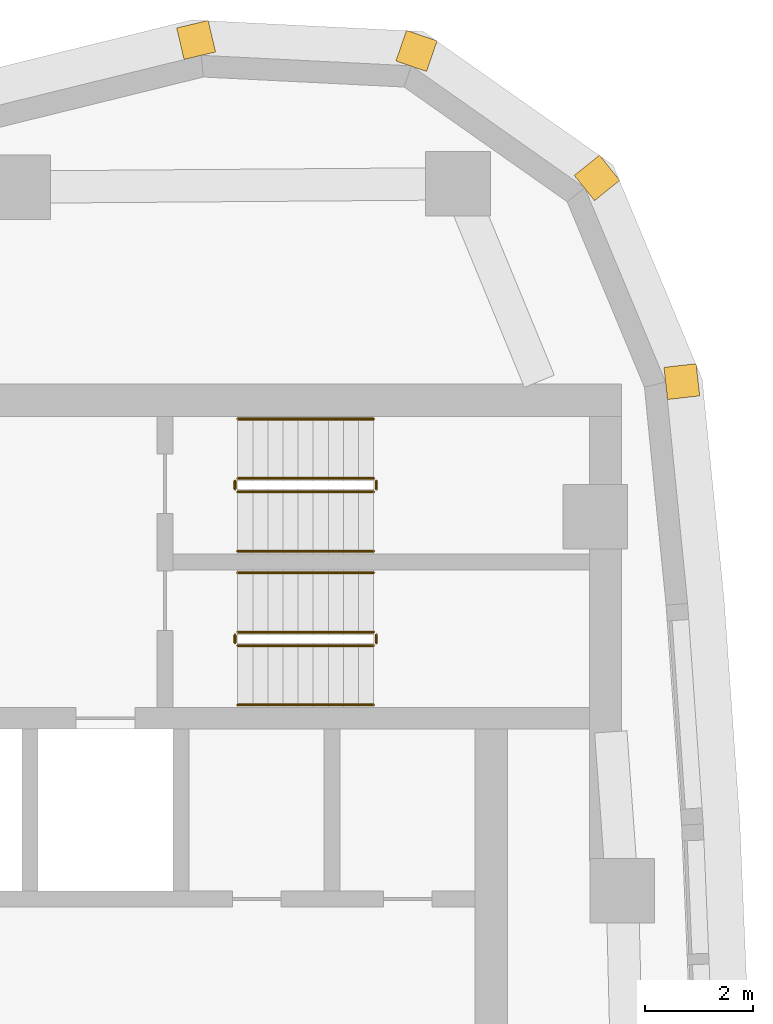
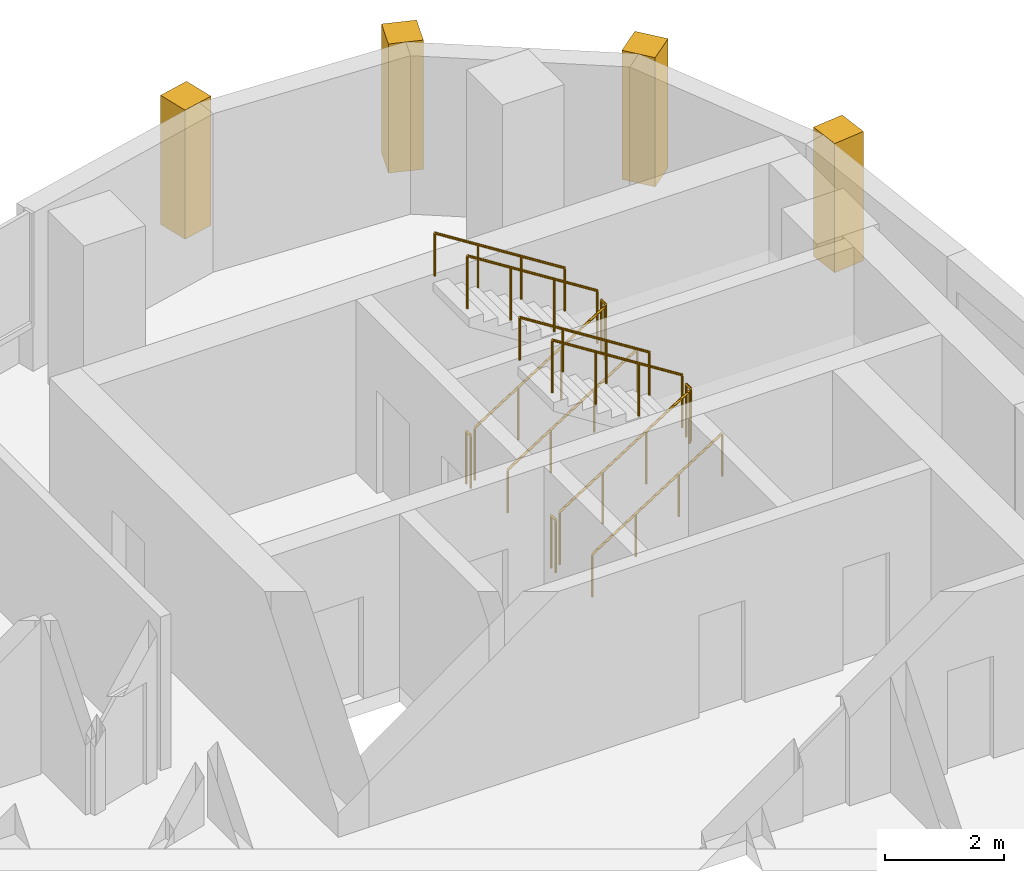
# One storey, part 16 of 16: 12 railings, 4 coverings.
"""IFC4 building model written with IfcOpenShell, lengths in metres."""

from ifc_helpers import new_model, si_unit, direction, frame, frame_2d, origin, origin_2d, place, context, subcontext, project, spatial, rectangle, circle, extrude, material, layer, layer_set, type_object, element, save


model = new_model("IFC4")

# Units and contexts
model_context = context("Model", 3, precision=1e-05, world=origin(), true_north=direction((0.0, 1.0)))
body_context = subcontext(model_context, "Body", "Model", "MODEL_VIEW")
ifc_project = project(units=[si_unit("LENGTHUNIT", "METRE"), si_unit("AREAUNIT", "SQUARE_METRE"), si_unit("VOLUMEUNIT", "CUBIC_METRE"), si_unit("PLANEANGLEUNIT", "RADIAN"), si_unit("MASSUNIT", "GRAM", prefix="KILO")], contexts=[model_context])

# Site, building, storey
site_placement = place(None, origin())
site = spatial("IfcSite", under=ifc_project, at=site_placement, CompositionType="ELEMENT")
building_placement = place(site_placement, origin())
building = spatial("IfcBuilding", under=site, at=building_placement, Name="Ostrand Prow Hotel Tower", CompositionType="ELEMENT")
storey_placement = place(building_placement, frame((0.0, 0.0, 252.75)))
storey = spatial("IfcBuildingStorey", under=building, at=storey_placement, Name="L64", CompositionType="ELEMENT", Elevation=252.75)

# Coverings
ifc_material_1 = material(Name="Limestone cladding", Category="masonry")
ifc_layer = layer(ifc_material_1, 0.60009765625)
ifc_layer_set = layer_set([ifc_layer], Name="Limestone cladding")
covering_type = type_object("IfcCoveringType", Name="Precast stone prow rib 600x600", PredefinedType="CLADDING", material=ifc_layer_set)
for number, where, z_axis, x_axis, name in (
    (1, (65.13623046875, 16.35986328125, 0.60009765625), (0.0, 0.0, 1.0), (0.993628058569, 0.112708833834, 0.0), "Stone corner rib 13a"),
    (2, (63.62744140625, 19.98291015625, 0.60009765625), (0.0, 0.0, 1.0), (0.779994736518, 0.625786074473, 0.0), "Stone corner rib 14a"),
    (3, (60.417236328125, 22.240966796875, 0.60009765625), (0.0, 0.0, 1.0), (0.325489086777, 0.945545797087, 0.0), "Stone corner rib 15a"),
    (4, (56.49755859375, 22.436279296875, 0.60009765625), (0.0, 0.0, 1.0), (-0.229878322855, 0.973219377469, 0.0), "Stone corner rib 15b"),
):
    element("IfcCovering", number, at=place(storey_placement, frame(where, z_axis=z_axis, x_axis=x_axis)), inside=storey, type_object=covering_type, Name=name, PredefinedType="CLADDING", context=body_context, shape_type="SweptSolid", body=[
        extrude(rectangle(XDim=0.60009765625, YDim=0.60009765625, at=frame_2d((0.300048828125, 0.0))), origin(), (0.0, 0.0, 1.0), 2.64990234375),
    ])

# Railings
ifc_material_2 = material(Name="Painted steel", Category="steel")
railing_type_1 = type_object("IfcRailingType", Name="Stair guard 1100", PredefinedType="GUARDRAIL", material=ifc_material_2)
railing_1_placement = place(storey_placement, frame((57.199951171875, 11.5, 0.177490234375)))
element("IfcRailing", 5, at=railing_1_placement, inside=storey, type_object=railing_type_1, Name="L64 ST1C stair guard 1", PredefinedType="GUARDRAIL", context=body_context, shape_type="SweptSolid", body=[
    extrude(circle(Radius=0.02392578125, at=origin_2d()), frame((0.0, 0.0, 1.076171875), z_axis=(0.84460694969, 0.0, 0.535386869969), x_axis=(0.0, 1.0, 0.0)), (0.0, 0.0, 1.0), 2.983642578125),
    extrude(circle(Radius=0.02099609375, at=origin_2d()), origin(), (0.0, 0.0, 1.0), 1.052001953125),
    extrude(circle(Radius=0.02099609375, at=origin_2d()), frame((0.840087890625, 0.0, 0.532470703125)), (0.0, 0.0, 1.0), 1.052001953125),
    extrude(circle(Radius=0.02099609375, at=origin_2d()), frame((1.679931640625, 0.0, 1.06494140625)), (0.0, 0.0, 1.0), 1.052001953125),
    extrude(circle(Radius=0.02099609375, at=origin_2d()), frame((2.52001953125, 0.0, 1.597412109375)), (0.0, 0.0, 1.0), 1.052001953125),
])
railing_2_placement = place(storey_placement, frame((59.77001953125, 11.550048828125, 1.77490234375)))
element("IfcRailing", 6, at=railing_2_placement, inside=storey, type_object=railing_type_1, Name="L64 ST1C stair guard 2", PredefinedType="GUARDRAIL", context=body_context, shape_type="SweptSolid", body=[
    extrude(circle(Radius=0.02392578125, at=origin_2d()), frame((0.0, 0.0, 1.076171875), z_axis=(0.0, 1.0, 0.0), x_axis=(-1.0, 0.0, 0.0)), (0.0, 0.0, 1.0), 0.14990234375),
    extrude(circle(Radius=0.02099609375, at=origin_2d()), origin(), (0.0, 0.0, 1.0), 1.052001953125),
    extrude(circle(Radius=0.02099609375, at=origin_2d()), frame((0.0, 0.14990234375, 0.0)), (0.0, 0.0, 1.0), 1.052001953125),
])
railing_3_placement = place(storey_placement, frame((59.719970703125, 11.75, 1.952392578125)))
element("IfcRailing", 7, at=railing_3_placement, inside=storey, type_object=railing_type_1, Name="L64 ST1C stair guard 3", PredefinedType="GUARDRAIL", context=body_context, shape_type="SweptSolid", body=[
    extrude(circle(Radius=0.02392578125, at=origin_2d()), frame((0.0, 0.0, 1.076171875), z_axis=(-0.84456994832, 0.0, 0.535445237532), x_axis=(0.0, -1.0, 0.0)), (0.0, 0.0, 1.0), 2.98388671875),
    extrude(circle(Radius=0.02099609375, at=origin_2d()), origin(), (0.0, 0.0, 1.0), 1.052001953125),
    extrude(circle(Radius=0.02099609375, at=origin_2d()), frame((-0.840087890625, 0.0, 0.532470703125)), (0.0, 0.0, 1.0), 1.052001953125),
    extrude(circle(Radius=0.02099609375, at=origin_2d()), frame((-1.679931640625, 0.0, 1.065185546875)), (0.0, 0.0, 1.0), 1.052001953125),
    extrude(circle(Radius=0.02099609375, at=origin_2d()), frame((-2.52001953125, 0.0, 1.59765625)), (0.0, 0.0, 1.0), 1.052001953125),
])
railing_4_placement = place(storey_placement, frame((57.14990234375, 11.550048828125, 0.0)))
element("IfcRailing", 8, at=railing_4_placement, inside=storey, type_object=railing_type_1, Name="L64 ST1C stair guard 4", PredefinedType="GUARDRAIL", context=body_context, shape_type="SweptSolid", body=[
    extrude(circle(Radius=0.02392578125, at=origin_2d()), frame((0.0, 0.0, 1.076171875), z_axis=(0.0, 1.0, 0.0), x_axis=(-1.0, 0.0, 0.0)), (0.0, 0.0, 1.0), 0.14990234375),
    extrude(circle(Radius=0.02099609375, at=origin_2d()), origin(), (0.0, 0.0, 1.0), 1.052001953125),
    extrude(circle(Radius=0.02099609375, at=origin_2d()), frame((0.0, 0.14990234375, 0.0)), (0.0, 0.0, 1.0), 1.052001953125),
])
railing_5_placement = place(storey_placement, frame((57.199951171875, 14.35009765625, 0.177490234375)))
element("IfcRailing", 9, at=railing_5_placement, inside=storey, type_object=railing_type_1, Name="L64 ST3C stair guard 1", PredefinedType="GUARDRAIL", context=body_context, shape_type="SweptSolid", body=[
    extrude(circle(Radius=0.02392578125, at=origin_2d()), frame((0.0, 0.0, 1.076171875), z_axis=(0.84460694969, 0.0, 0.535386869969), x_axis=(0.0, 1.0, 0.0)), (0.0, 0.0, 1.0), 2.983642578125),
    extrude(circle(Radius=0.02099609375, at=origin_2d()), origin(), (0.0, 0.0, 1.0), 1.052001953125),
    extrude(circle(Radius=0.02099609375, at=origin_2d()), frame((0.840087890625, 0.0, 0.532470703125)), (0.0, 0.0, 1.0), 1.052001953125),
    extrude(circle(Radius=0.02099609375, at=origin_2d()), frame((1.679931640625, 0.0, 1.06494140625)), (0.0, 0.0, 1.0), 1.052001953125),
    extrude(circle(Radius=0.02099609375, at=origin_2d()), frame((2.52001953125, 0.0, 1.597412109375)), (0.0, 0.0, 1.0), 1.052001953125),
])
railing_6_placement = place(storey_placement, frame((59.77001953125, 14.39990234375, 1.77490234375)))
element("IfcRailing", 10, at=railing_6_placement, inside=storey, type_object=railing_type_1, Name="L64 ST3C stair guard 2", PredefinedType="GUARDRAIL", context=body_context, shape_type="SweptSolid", body=[
    extrude(circle(Radius=0.02392578125, at=origin_2d()), frame((0.0, 0.0, 1.076171875), z_axis=(0.0, 1.0, 0.0), x_axis=(-1.0, 0.0, 0.0)), (0.0, 0.0, 1.0), 0.150146484375),
    extrude(circle(Radius=0.02099609375, at=origin_2d()), origin(), (0.0, 0.0, 1.0), 1.052001953125),
    extrude(circle(Radius=0.02099609375, at=origin_2d()), frame((0.0, 0.150146484375, 0.0)), (0.0, 0.0, 1.0), 1.052001953125),
])
railing_7_placement = place(storey_placement, frame((59.719970703125, 14.60009765625, 1.952392578125)))
element("IfcRailing", 11, at=railing_7_placement, inside=storey, type_object=railing_type_1, Name="L64 ST3C stair guard 3", PredefinedType="GUARDRAIL", context=body_context, shape_type="SweptSolid", body=[
    extrude(circle(Radius=0.02392578125, at=origin_2d()), frame((0.0, 0.0, 1.076171875), z_axis=(-0.84456994832, 0.0, 0.535445237532), x_axis=(0.0, -1.0, 0.0)), (0.0, 0.0, 1.0), 2.98388671875),
    extrude(circle(Radius=0.02099609375, at=origin_2d()), origin(), (0.0, 0.0, 1.0), 1.052001953125),
    extrude(circle(Radius=0.02099609375, at=origin_2d()), frame((-0.840087890625, 0.0, 0.532470703125)), (0.0, 0.0, 1.0), 1.052001953125),
    extrude(circle(Radius=0.02099609375, at=origin_2d()), frame((-1.679931640625, 0.0, 1.065185546875)), (0.0, 0.0, 1.0), 1.052001953125),
    extrude(circle(Radius=0.02099609375, at=origin_2d()), frame((-2.52001953125, 0.0, 1.59765625)), (0.0, 0.0, 1.0), 1.052001953125),
])
railing_8_placement = place(storey_placement, frame((57.14990234375, 14.39990234375, 0.0)))
element("IfcRailing", 12, at=railing_8_placement, inside=storey, type_object=railing_type_1, Name="L64 ST3C stair guard 4", PredefinedType="GUARDRAIL", context=body_context, shape_type="SweptSolid", body=[
    extrude(circle(Radius=0.02392578125, at=origin_2d()), frame((0.0, 0.0, 1.076171875), z_axis=(0.0, 1.0, 0.0), x_axis=(-1.0, 0.0, 0.0)), (0.0, 0.0, 1.0), 0.150146484375),
    extrude(circle(Radius=0.02099609375, at=origin_2d()), origin(), (0.0, 0.0, 1.0), 1.052001953125),
    extrude(circle(Radius=0.02099609375, at=origin_2d()), frame((0.0, 0.150146484375, 0.0)), (0.0, 0.0, 1.0), 1.052001953125),
])
ifc_material_3 = material(Name="Stainless steel", Category="steel")
railing_type_2 = type_object("IfcRailingType", Name="Stair handrail 900", PredefinedType="HANDRAIL", material=ifc_material_3)
railing_9_placement = place(storey_placement, frame((57.199951171875, 10.39990234375, 0.177490234375)))
element("IfcRailing", 13, at=railing_9_placement, inside=storey, type_object=railing_type_2, Name="L64 ST1C stair handrail 1", PredefinedType="HANDRAIL", context=body_context, shape_type="SweptSolid", body=[
    extrude(circle(Radius=0.02392578125, at=origin_2d()), frame((0.0, 0.0, 0.8759765625), z_axis=(0.84460694969, 0.0, 0.535386869969), x_axis=(0.0, 1.0, 0.0)), (0.0, 0.0, 1.0), 2.983642578125),
    extrude(circle(Radius=0.02099609375, at=origin_2d()), origin(), (0.0, 0.0, 1.0), 0.851806640625),
    extrude(circle(Radius=0.02099609375, at=origin_2d()), frame((0.840087890625, 0.0, 0.532470703125)), (0.0, 0.0, 1.0), 0.851806640625),
    extrude(circle(Radius=0.02099609375, at=origin_2d()), frame((1.679931640625, 0.0, 1.06494140625)), (0.0, 0.0, 1.0), 0.851806640625),
    extrude(circle(Radius=0.02099609375, at=origin_2d()), frame((2.52001953125, 0.0, 1.597412109375)), (0.0, 0.0, 1.0), 0.851806640625),
])
railing_10_placement = place(storey_placement, frame((59.719970703125, 12.85009765625, 1.952392578125)))
element("IfcRailing", 14, at=railing_10_placement, inside=storey, type_object=railing_type_2, Name="L64 ST1C stair handrail 2", PredefinedType="HANDRAIL", context=body_context, shape_type="SweptSolid", body=[
    extrude(circle(Radius=0.02392578125, at=origin_2d()), frame((0.0, 0.0, 0.8759765625), z_axis=(-0.84456994832, 0.0, 0.535445237532), x_axis=(0.0, -1.0, 0.0)), (0.0, 0.0, 1.0), 2.98388671875),
    extrude(circle(Radius=0.02099609375, at=origin_2d()), origin(), (0.0, 0.0, 1.0), 0.851806640625),
    extrude(circle(Radius=0.02099609375, at=origin_2d()), frame((-0.840087890625, 0.0, 0.532470703125)), (0.0, 0.0, 1.0), 0.851806640625),
    extrude(circle(Radius=0.02099609375, at=origin_2d()), frame((-1.679931640625, 0.0, 1.065185546875)), (0.0, 0.0, 1.0), 0.851806640625),
    extrude(circle(Radius=0.02099609375, at=origin_2d()), frame((-2.52001953125, 0.0, 1.59765625)), (0.0, 0.0, 1.0), 0.851806640625),
])
railing_11_placement = place(storey_placement, frame((57.199951171875, 13.25, 0.177490234375)))
element("IfcRailing", 15, at=railing_11_placement, inside=storey, type_object=railing_type_2, Name="L64 ST3C stair handrail 1", PredefinedType="HANDRAIL", context=body_context, shape_type="SweptSolid", body=[
    extrude(circle(Radius=0.02392578125, at=origin_2d()), frame((0.0, 0.0, 0.8759765625), z_axis=(0.84460694969, 0.0, 0.535386869969), x_axis=(0.0, 1.0, 0.0)), (0.0, 0.0, 1.0), 2.983642578125),
    extrude(circle(Radius=0.02099609375, at=origin_2d()), origin(), (0.0, 0.0, 1.0), 0.851806640625),
    extrude(circle(Radius=0.02099609375, at=origin_2d()), frame((0.840087890625, 0.0, 0.532470703125)), (0.0, 0.0, 1.0), 0.851806640625),
    extrude(circle(Radius=0.02099609375, at=origin_2d()), frame((1.679931640625, 0.0, 1.06494140625)), (0.0, 0.0, 1.0), 0.851806640625),
    extrude(circle(Radius=0.02099609375, at=origin_2d()), frame((2.52001953125, 0.0, 1.597412109375)), (0.0, 0.0, 1.0), 0.851806640625),
])
railing_12_placement = place(storey_placement, frame((59.719970703125, 15.699951171875, 1.952392578125)))
element("IfcRailing", 16, at=railing_12_placement, inside=storey, type_object=railing_type_2, Name="L64 ST3C stair handrail 2", PredefinedType="HANDRAIL", context=body_context, shape_type="SweptSolid", body=[
    extrude(circle(Radius=0.02392578125, at=origin_2d()), frame((0.0, 0.0, 0.8759765625), z_axis=(-0.84456994832, 0.0, 0.535445237532), x_axis=(0.0, -1.0, 0.0)), (0.0, 0.0, 1.0), 2.98388671875),
    extrude(circle(Radius=0.02099609375, at=origin_2d()), origin(), (0.0, 0.0, 1.0), 0.851806640625),
    extrude(circle(Radius=0.02099609375, at=origin_2d()), frame((-0.840087890625, 0.0, 0.532470703125)), (0.0, 0.0, 1.0), 0.851806640625),
    extrude(circle(Radius=0.02099609375, at=origin_2d()), frame((-1.679931640625, 0.0, 1.065185546875)), (0.0, 0.0, 1.0), 0.851806640625),
    extrude(circle(Radius=0.02099609375, at=origin_2d()), frame((-2.52001953125, 0.0, 1.59765625)), (0.0, 0.0, 1.0), 0.851806640625),
])

save(model, "model.ifc")
